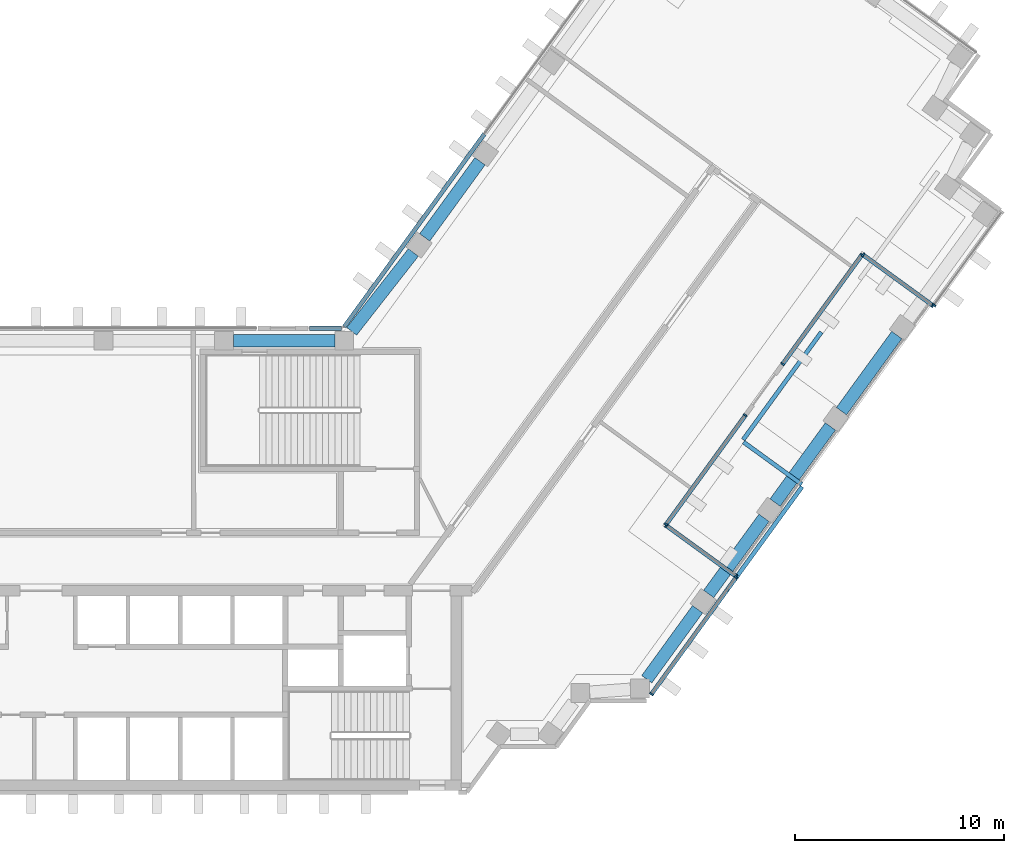
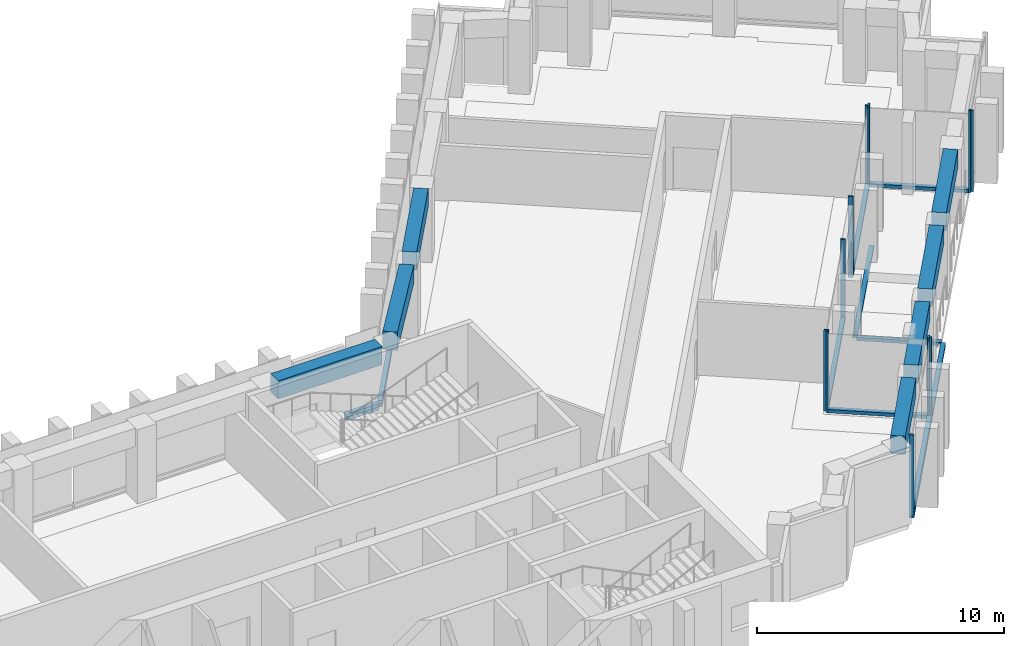
"""IFC4 building model written with IfcOpenShell, lengths in metres."""

from ifc_helpers import new_model, si_unit, direction, frame, origin, origin_2d, place, context, subcontext, project, spatial, rectangle, extrude, material, material_profile, profile_set, type_object, element, aggregate, save


model = new_model("IFC4")

# Units and contexts
model_context = context("Model", 3, precision=1e-05, world=origin(), true_north=direction((0.0, 1.0)))
body_context = subcontext(model_context, "Body", "Model", "MODEL_VIEW")
ifc_project = project(units=[si_unit("LENGTHUNIT", "METRE"), si_unit("AREAUNIT", "SQUARE_METRE"), si_unit("VOLUMEUNIT", "CUBIC_METRE"), si_unit("PLANEANGLEUNIT", "RADIAN"), si_unit("MASSUNIT", "GRAM", prefix="KILO")], contexts=[model_context])

# Site, building, storey
site_placement = place(None, origin())
site = spatial("IfcSite", under=ifc_project, at=site_placement, CompositionType="ELEMENT")
building_placement = place(site_placement, origin())
building = spatial("IfcBuilding", under=site, at=building_placement, Name="Quipu Civic Tower", CompositionType="ELEMENT")
storey_1_placement = place(building_placement, frame((0.0, 0.0, 97.0)))
storey_1 = spatial("IfcBuildingStorey", under=building, at=storey_1_placement, Name="L22", CompositionType="ELEMENT", Elevation=97.0)

# Curtain wall, members
ifc_material_1 = material(Name="Insulated glass unit", Category="glass")
curtain_wall_type = type_object("IfcCurtainWallType", Name="Office curtain wall CW1", PredefinedType="NOTDEFINED", material=ifc_material_1)
curtain_wall_1_placement = place(storey_1_placement, origin())
curtain_wall_1 = element("IfcCurtainWall", 1, at=curtain_wall_1_placement, inside=storey_1, type_object=curtain_wall_type, Name="Office curtain wall CW1 L22 run 1", PredefinedType="NOTDEFINED")
ifc_material_2 = material(Name="Anodised aluminium", Category="aluminium")
ifc_material_profile_1 = material_profile(ifc_material_2, rectangle(XDim=0.199951171875, YDim=0.080078125, at=origin_2d()), Name="RECT 200x80")
ifc_profile_set_1 = profile_set([ifc_material_profile_1], Name="Anodised aluminium")
member_type_1 = type_object("IfcMemberType", Name="Mullion CW1", PredefinedType="MULLION", material=ifc_profile_set_1)
member_1_placement = place(storey_1_placement, frame((29.079345703125, -6.3876953125, 0.080078125), z_axis=(0.0, 0.0, 1.0), x_axis=(-0.809015759359, 0.587786952143, 0.0)))
member_1 = element("IfcMember", 2, at=member_1_placement, type_object=member_type_1, Name="CW1 mullion 1", PredefinedType="MULLION", context=body_context, shape_type="SweptSolid", body=[
    extrude(rectangle(XDim=0.199951171875, YDim=0.080078125, at=origin_2d()), origin(), (0.0, 0.0, 1.0), 4.0),
])
member_2_placement = place(storey_1_placement, frame((33.1298828125, -0.812744140625, 0.080078125), z_axis=(0.0, 0.0, 1.0), x_axis=(-0.809015759359, 0.587786952143, 0.0)))
member_2 = element("IfcMember", 3, at=member_2_placement, type_object=member_type_1, Name="CW1 mullion 2", PredefinedType="MULLION", context=body_context, shape_type="SweptSolid", body=[
    extrude(rectangle(XDim=0.199951171875, YDim=0.080078125, at=origin_2d()), origin(), (0.0, 0.0, 1.0), 4.0),
])

curtain_wall_2_placement = place(storey_1_placement, origin())
curtain_wall_2 = element("IfcCurtainWall", 4, at=curtain_wall_2_placement, inside=storey_1, type_object=curtain_wall_type, Name="Office curtain wall CW1 L22 run 2", PredefinedType="NOTDEFINED")
member_3_placement = place(storey_1_placement, frame((33.12109375, -0.7568359375, 0.080078125), z_axis=(0.0, 0.0, 1.0), x_axis=(-0.587782313886, -0.809019129244, 0.0)))
member_3 = element("IfcMember", 5, at=member_3_placement, type_object=member_type_1, Name="CW1 mullion 1", PredefinedType="MULLION", context=body_context, shape_type="SweptSolid", body=[
    extrude(rectangle(XDim=0.199951171875, YDim=0.080078125, at=origin_2d()), origin(), (0.0, 0.0, 1.0), 4.0),
])
member_4_placement = place(storey_1_placement, frame((29.787841796875, 1.664794921875, 0.080078125), z_axis=(0.0, 0.0, 1.0), x_axis=(-0.587782313886, -0.809019129244, 0.0)))
member_4 = element("IfcMember", 6, at=member_4_placement, type_object=member_type_1, Name="CW1 mullion 2", PredefinedType="MULLION", context=body_context, shape_type="SweptSolid", body=[
    extrude(rectangle(XDim=0.199951171875, YDim=0.080078125, at=origin_2d()), origin(), (0.0, 0.0, 1.0), 4.0),
])

curtain_wall_3_placement = place(storey_1_placement, origin())
curtain_wall_3 = element("IfcCurtainWall", 7, at=curtain_wall_3_placement, inside=storey_1, type_object=curtain_wall_type, Name="Office curtain wall CW1 L22 run 3", PredefinedType="NOTDEFINED")
member_5_placement = place(storey_1_placement, frame((29.779052734375, 1.720703125, 0.080078125), z_axis=(0.0, 0.0, 1.0), x_axis=(-0.809018600878, 0.587783041125, 0.0)))
member_5 = element("IfcMember", 8, at=member_5_placement, type_object=member_type_1, Name="CW1 mullion 1", PredefinedType="MULLION", context=body_context, shape_type="SweptSolid", body=[
    extrude(rectangle(XDim=0.199951171875, YDim=0.080078125, at=origin_2d()), origin(), (0.0, 0.0, 1.0), 4.0),
])
member_6_placement = place(storey_1_placement, frame((33.5634765625, 6.929443359375, 0.080078125), z_axis=(0.0, 0.0, 1.0), x_axis=(-0.809018600878, 0.587783041125, 0.0)))
member_6 = element("IfcMember", 9, at=member_6_placement, type_object=member_type_1, Name="CW1 mullion 2", PredefinedType="MULLION", context=body_context, shape_type="SweptSolid", body=[
    extrude(rectangle(XDim=0.199951171875, YDim=0.080078125, at=origin_2d()), origin(), (0.0, 0.0, 1.0), 4.0),
])

curtain_wall_4_placement = place(storey_1_placement, origin())
curtain_wall_4 = element("IfcCurtainWall", 10, at=curtain_wall_4_placement, inside=storey_1, type_object=curtain_wall_type, Name="Office curtain wall CW1 L22 run 5", PredefinedType="NOTDEFINED")
member_7_placement = place(storey_1_placement, frame((35.35205078125, 9.391357421875, 0.080078125), z_axis=(0.0, 0.0, 1.0), x_axis=(-0.809021906018, 0.587778491936, 0.0)))
member_7 = element("IfcMember", 11, at=member_7_placement, type_object=member_type_1, Name="CW1 mullion 1", PredefinedType="MULLION", context=body_context, shape_type="SweptSolid", body=[
    extrude(rectangle(XDim=0.199951171875, YDim=0.080078125, at=origin_2d()), origin(), (0.0, 0.0, 1.0), 4.0),
])
member_8_placement = place(storey_1_placement, frame((39.136474609375, 14.600341796875, 0.080078125), z_axis=(0.0, 0.0, 1.0), x_axis=(-0.809021906018, 0.587778491936, 0.0)))
member_8 = element("IfcMember", 12, at=member_8_placement, type_object=member_type_1, Name="CW1 mullion 2", PredefinedType="MULLION", context=body_context, shape_type="SweptSolid", body=[
    extrude(rectangle(XDim=0.199951171875, YDim=0.080078125, at=origin_2d()), origin(), (0.0, 0.0, 1.0), 4.0),
])

curtain_wall_5_placement = place(storey_1_placement, origin())
curtain_wall_5 = element("IfcCurtainWall", 13, at=curtain_wall_5_placement, inside=storey_1, type_object=curtain_wall_type, Name="Office curtain wall CW1 L22 run 6", PredefinedType="NOTDEFINED")
member_9_placement = place(storey_1_placement, frame((39.1923828125, 14.609130859375, 0.080078125), z_axis=(0.0, 0.0, 1.0), x_axis=(0.587782313886, 0.809019129244, 0.0)))
member_9 = element("IfcMember", 14, at=member_9_placement, type_object=member_type_1, Name="CW1 mullion 1", PredefinedType="MULLION", context=body_context, shape_type="SweptSolid", body=[
    extrude(rectangle(XDim=0.199951171875, YDim=0.080078125, at=origin_2d()), origin(), (0.0, 0.0, 1.0), 4.0),
])
member_10_placement = place(storey_1_placement, frame((42.525634765625, 12.1875, 0.080078125), z_axis=(0.0, 0.0, 1.0), x_axis=(0.587782313886, 0.809019129244, 0.0)))
member_10 = element("IfcMember", 15, at=member_10_placement, type_object=member_type_1, Name="CW1 mullion 2", PredefinedType="MULLION", context=body_context, shape_type="SweptSolid", body=[
    extrude(rectangle(XDim=0.199951171875, YDim=0.080078125, at=origin_2d()), origin(), (0.0, 0.0, 1.0), 4.0),
])

# Curtain wall, member
curtain_wall_6_placement = place(storey_1_placement, origin())
curtain_wall_6 = element("IfcCurtainWall", 16, at=curtain_wall_6_placement, inside=storey_1, type_object=curtain_wall_type, Name="Office curtain wall CW1 L22 run 7", PredefinedType="NOTDEFINED")
member_11_placement = place(storey_1_placement, frame((42.581298828125, 12.1962890625, 0.080078125), z_axis=(0.0, 0.0, 1.0), x_axis=(-0.809010903145, 0.587793636059, 0.0)))
member_11 = element("IfcMember", 17, at=member_11_placement, type_object=member_type_1, Name="CW1 mullion 1", PredefinedType="MULLION", context=body_context, shape_type="SweptSolid", body=[
    extrude(rectangle(XDim=0.199951171875, YDim=0.080078125, at=origin_2d()), origin(), (0.0, 0.0, 1.0), 4.0),
])
aggregate(curtain_wall_6, [member_11])

# Beams
ifc_material_3 = material(Name="Concrete C50/60", Category="concrete")
ifc_material_profile_2 = material_profile(ifc_material_3, rectangle(XDim=0.60009765625, YDim=0.89990234375, at=origin_2d()), Name="RC600x900")
ifc_profile_set_2 = profile_set([ifc_material_profile_2], Name="Concrete C50/60")
beam_type = type_object("IfcBeamType", Name="Spandrel beam RC 600x900 C50/60", PredefinedType="SPANDREL", material=ifc_profile_set_2)
beam_1_placement = place(storey_1_placement, frame((28.85205078125, -5.679931640625, 3.199951171875), z_axis=(0.587750565781, 0.809042194464, 0.0), x_axis=(-0.809042194464, 0.587750565781, 0.0)))
element("IfcBeam", 18, at=beam_1_placement, inside=storey_1, type_object=beam_type, Name="Spandrel beam L22 J-Eo.4 to E-OUT-01", PredefinedType="SPANDREL", context=body_context, shape_type="SweptSolid", body=[
    extrude(rectangle(XDim=0.60009765625, YDim=0.89990234375, at=origin_2d()), origin(), (0.0, 0.0, 1.0), 4.13720703125),
])
beam_2_placement = place(storey_1_placement, frame((31.812744140625, -1.604736328125, 3.199951171875), z_axis=(0.587778073121, 0.809022210299, 0.0), x_axis=(-0.809022210299, 0.587778073121, 0.0)))
element("IfcBeam", 19, at=beam_2_placement, inside=storey_1, type_object=beam_type, Name="Spandrel beam L22 E-OUT-01 to E-OUT-02", PredefinedType="SPANDREL", context=body_context, shape_type="SweptSolid", body=[
    extrude(rectangle(XDim=0.60009765625, YDim=0.89990234375, at=origin_2d()), origin(), (0.0, 0.0, 1.0), 4.5),
])
beam_3_placement = place(storey_1_placement, frame((34.98681640625, 2.76416015625, 3.199951171875), z_axis=(0.587803872688, 0.809003465539, 0.0), x_axis=(-0.809003465539, 0.587803872688, 0.0)))
element("IfcBeam", 20, at=beam_3_placement, inside=storey_1, type_object=beam_type, Name="Spandrel beam L22 E-OUT-02 to E-OUT-03", PredefinedType="SPANDREL", context=body_context, shape_type="SweptSolid", body=[
    extrude(rectangle(XDim=0.60009765625, YDim=0.89990234375, at=origin_2d()), origin(), (0.0, 0.0, 1.0), 4.499755859375),
])
for number, where, z_axis, x_axis, name in (
    (21, (38.160888671875, 7.1328125, 3.199951171875), (0.587778073121, 0.809022210299, 0.0), (-0.809022210299, 0.587778073121, 0.0), "Spandrel beam L22 E-OUT-03 to E-OUT-04"),
    (22, (20.8828125, 19.079833984375, 3.199951171875), (-0.587716763865, -0.809066749701, 0.0), (0.809066749701, -0.587716763865, 0.0), "Spandrel beam L22 E-IN-02 to E-IN-01"),
):
    element("IfcBeam", number, at=place(storey_1_placement, frame(where, z_axis=z_axis, x_axis=x_axis)), inside=storey_1, type_object=beam_type, Name=name, PredefinedType="SPANDREL", context=body_context, shape_type="SweptSolid", body=[
        extrude(rectangle(XDim=0.60009765625, YDim=0.89990234375, at=origin_2d()), origin(), (0.0, 0.0, 1.0), 4.5),
    ])
beam_4_placement = place(storey_1_placement, frame((17.6962890625, 14.72021484375, 3.199951171875), z_axis=(-0.616123961998, -0.787649200756, 0.0), x_axis=(0.787649200756, -0.616123961998, 0.0)))
element("IfcBeam", 23, at=beam_4_placement, inside=storey_1, type_object=beam_type, Name="Spandrel beam L22 E-IN-01 to J-Ei.0", PredefinedType="SPANDREL", context=body_context, shape_type="SweptSolid", body=[
    extrude(rectangle(XDim=0.60009765625, YDim=0.89990234375, at=origin_2d()), origin(), (0.0, 0.0, 1.0), 4.78662109375),
])
beam_5_placement = place(storey_1_placement, frame((13.9453125, 10.5, 3.199951171875), z_axis=(-1.0, 0.0, 0.0), x_axis=(0.0, -1.0, 0.0)))
element("IfcBeam", 24, at=beam_5_placement, inside=storey_1, type_object=beam_type, Name="Spandrel beam L22 J-Ei.0 to FRONT-01", PredefinedType="SPANDREL", context=body_context, shape_type="SweptSolid", body=[
    extrude(rectangle(XDim=0.60009765625, YDim=0.89990234375, at=origin_2d()), origin(), (0.0, 0.0, 1.0), 4.858154296875),
])

# Storey
storey_2_placement = place(building_placement, frame((0.0, 0.0, 89.0)))
storey_2 = spatial("IfcBuildingStorey", under=building, at=storey_2_placement, Name="L20", CompositionType="ELEMENT", Elevation=89.0)

# Curtain wall, member
curtain_wall_7_placement = place(storey_2_placement, origin())
curtain_wall_7 = element("IfcCurtainWall", 25, at=curtain_wall_7_placement, inside=storey_2, type_object=curtain_wall_type, Name="Office curtain wall CW1 L19 run 11", PredefinedType="NOTDEFINED")
ifc_material_4 = material(Name="Anodised aluminium", Category="aluminium")
ifc_material_profile_3 = material_profile(ifc_material_4, rectangle(XDim=0.199951171875, YDim=0.159912109375, at=origin_2d()), Name="RECT 200x160")
ifc_profile_set_3 = profile_set([ifc_material_profile_3], Name="Anodised aluminium")
member_type_2 = type_object("IfcMemberType", Name="Transom CW1", PredefinedType="USERDEFINED", material=ifc_profile_set_3)
member_12_placement = place(storey_1_placement, frame((21.09326171875, 20.38916015625, 0.0), z_axis=(-0.587799878401, -0.809006367683, 0.0), x_axis=(0.809006367683, -0.587799878401, 0.0)))
member_12 = element("IfcMember", 26, at=member_12_placement, inside=storey_1, type_object=member_type_2, Name="CW1 transom 2.4", ObjectType="TRANSOM", PredefinedType="USERDEFINED", context=body_context, shape_type="SweptSolid", body=[
    extrude(rectangle(XDim=0.199951171875, YDim=0.159912109375, at=origin_2d()), origin(), (0.0, 0.0, 1.0), 11.402099609375),
])
aggregate(curtain_wall_7, [member_12])

curtain_wall_8_placement = place(storey_2_placement, origin())
curtain_wall_8 = element("IfcCurtainWall", 27, at=curtain_wall_8_placement, inside=storey_2, type_object=curtain_wall_type, Name="Office curtain wall CW1 L19 run 12", PredefinedType="NOTDEFINED")
member_13_placement = place(storey_1_placement, frame((14.26416015625, 11.10009765625, 0.0), z_axis=(-1.0, 0.0, 0.0), x_axis=(0.0, -1.0, 0.0)))
member_13 = element("IfcMember", 28, at=member_13_placement, inside=storey_1, type_object=member_type_2, Name="CW1 transom 1.4", ObjectType="TRANSOM", PredefinedType="USERDEFINED", context=body_context, shape_type="SweptSolid", body=[
    extrude(rectangle(XDim=0.199951171875, YDim=0.159912109375, at=origin_2d()), origin(), (0.0, 0.0, 1.0), 1.529052734375),
])
aggregate(curtain_wall_8, [member_13])

# Storey
storey_3_placement = place(building_placement, frame((0.0, 0.0, 93.0)))
storey_3 = spatial("IfcBuildingStorey", under=building, at=storey_3_placement, Name="L21", CompositionType="ELEMENT", Elevation=93.0)

# Curtain wall, members
curtain_wall_9_placement = place(storey_3_placement, origin())
curtain_wall_9 = element("IfcCurtainWall", 29, at=curtain_wall_9_placement, inside=storey_3, type_object=curtain_wall_type, Name="Office curtain wall CW1 L21 run 1", PredefinedType="NOTDEFINED")
member_14_placement = place(storey_1_placement, frame((29.10302734375, -6.35546875, 0.0), z_axis=(0.587771953411, 0.809026656411, 0.0), x_axis=(-0.809026656411, 0.587771953411, 0.0)))
member_14 = element("IfcMember", 30, at=member_14_placement, inside=storey_1, type_object=member_type_2, Name="CW1 transom 1.2", ObjectType="TRANSOM", PredefinedType="USERDEFINED", context=body_context, shape_type="SweptSolid", body=[
    extrude(rectangle(XDim=0.199951171875, YDim=0.159912109375, at=origin_2d()), origin(), (0.0, 0.0, 1.0), 6.065673828125),
])
member_15_placement = place(storey_1_placement, frame((32.715087890625, -1.383544921875, 0.0), z_axis=(0.587771953411, 0.809026656411, 0.0), x_axis=(-0.809026656411, 0.587771953411, 0.0)))
member_15 = element("IfcMember", 31, at=member_15_placement, inside=storey_1, type_object=member_type_2, Name="CW1 transom 2.2", ObjectType="TRANSOM", PredefinedType="USERDEFINED", context=body_context, shape_type="SweptSolid", body=[
    extrude(rectangle(XDim=0.199951171875, YDim=0.159912109375, at=origin_2d()), origin(), (0.0, 0.0, 1.0), 6.065673828125),
])
aggregate(curtain_wall_9, [member_14, member_15])

# Curtain wall, member
curtain_wall_10_placement = place(storey_3_placement, origin())
curtain_wall_10 = element("IfcCurtainWall", 32, at=curtain_wall_10_placement, inside=storey_3, type_object=curtain_wall_type, Name="Office curtain wall CW1 L21 run 2", PredefinedType="NOTDEFINED")
member_16_placement = place(storey_1_placement, frame((36.2626953125, 3.63525390625, 0.0), z_axis=(-0.809012211288, 0.58779183559, 0.0), x_axis=(-0.58779183559, -0.809012211288, 0.0)))
member_16 = element("IfcMember", 33, at=member_16_placement, inside=storey_1, type_object=member_type_2, Name="CW1 transom 1.2", ObjectType="TRANSOM", PredefinedType="USERDEFINED", context=body_context, shape_type="SweptSolid", body=[
    extrude(rectangle(XDim=0.199951171875, YDim=0.159912109375, at=origin_2d()), origin(), (0.0, 0.0, 1.0), 3.43994140625),
])
aggregate(curtain_wall_10, [member_16])

curtain_wall_11_placement = place(storey_3_placement, origin())
curtain_wall_11 = element("IfcCurtainWall", 34, at=curtain_wall_11_placement, inside=storey_3, type_object=curtain_wall_type, Name="Office curtain wall CW1 L21 run 3", PredefinedType="NOTDEFINED")
member_17_placement = place(storey_1_placement, frame((33.4619140625, 5.76904296875, 0.0), z_axis=(0.587797201853, 0.809008312376, 0.0), x_axis=(-0.809008312376, 0.587797201853, 0.0)))
member_17 = element("IfcMember", 35, at=member_17_placement, inside=storey_1, type_object=member_type_2, Name="CW1 transom 1.2", ObjectType="TRANSOM", PredefinedType="USERDEFINED", context=body_context, shape_type="SweptSolid", body=[
    extrude(rectangle(XDim=0.199951171875, YDim=0.159912109375, at=origin_2d()), origin(), (0.0, 0.0, 1.0), 6.358154296875),
])
aggregate(curtain_wall_11, [member_17])

# Member
member_18_placement = place(storey_1_placement, frame((29.10302734375, -6.35546875, 0.159912109375), z_axis=(0.587783730695, 0.809018099878, 0.0), x_axis=(-0.809018099878, 0.587783730695, 0.0)))
member_18 = element("IfcMember", 36, at=member_18_placement, type_object=member_type_2, Name="CW1 transom 1.1", ObjectType="TRANSOM", PredefinedType="USERDEFINED", context=body_context, shape_type="SweptSolid", body=[
    extrude(rectangle(XDim=0.199951171875, YDim=0.159912109375, at=origin_2d()), origin(), (0.0, 0.0, 1.0), 6.81103515625),
])

aggregate(curtain_wall_1, [member_1, member_2, member_18])

member_19_placement = place(storey_1_placement, frame((33.088623046875, -0.7333984375, 0.159912109375), z_axis=(-0.808994717653, 0.587815912348, 0.0), x_axis=(-0.587815912348, -0.808994717653, 0.0)))
member_19 = element("IfcMember", 37, at=member_19_placement, type_object=member_type_2, Name="CW1 transom 1.1", ObjectType="TRANSOM", PredefinedType="USERDEFINED", context=body_context, shape_type="SweptSolid", body=[
    extrude(rectangle(XDim=0.199951171875, YDim=0.159912109375, at=origin_2d()), origin(), (0.0, 0.0, 1.0), 4.0400390625),
])

aggregate(curtain_wall_2, [member_3, member_4, member_19])

member_20_placement = place(storey_1_placement, frame((29.802490234375, 1.7529296875, 0.159912109375), z_axis=(0.587778942742, 0.809021578494, 0.0), x_axis=(-0.809021578494, 0.587778942742, 0.0)))
member_20 = element("IfcMember", 38, at=member_20_placement, type_object=member_type_2, Name="CW1 transom 1.1", ObjectType="TRANSOM", PredefinedType="USERDEFINED", context=body_context, shape_type="SweptSolid", body=[
    extrude(rectangle(XDim=0.199951171875, YDim=0.159912109375, at=origin_2d()), origin(), (0.0, 0.0, 1.0), 6.3583984375),
])

aggregate(curtain_wall_3, [member_5, member_6, member_20])

member_21_placement = place(storey_1_placement, frame((35.37548828125, 9.423583984375, 0.159912109375), z_axis=(0.587785815007, 0.809016585539, 0.0), x_axis=(-0.809016585539, 0.587785815007, 0.0)))
member_21 = element("IfcMember", 39, at=member_21_placement, type_object=member_type_2, Name="CW1 transom 1.1", ObjectType="TRANSOM", PredefinedType="USERDEFINED", context=body_context, shape_type="SweptSolid", body=[
    extrude(rectangle(XDim=0.199951171875, YDim=0.159912109375, at=origin_2d()), origin(), (0.0, 0.0, 1.0), 6.358642578125),
])

aggregate(curtain_wall_4, [member_7, member_8, member_21])

member_22_placement = place(storey_1_placement, frame((39.224609375, 14.585693359375, 0.159912109375), z_axis=(0.809015596824, -0.587787175852, 0.0), x_axis=(0.587787175852, 0.809015596824, 0.0)))
member_22 = element("IfcMember", 40, at=member_22_placement, type_object=member_type_2, Name="CW1 transom 1.1", ObjectType="TRANSOM", PredefinedType="USERDEFINED", context=body_context, shape_type="SweptSolid", body=[
    extrude(rectangle(XDim=0.199951171875, YDim=0.159912109375, at=origin_2d()), origin(), (0.0, 0.0, 1.0), 4.040283203125),
])

aggregate(curtain_wall_5, [member_9, member_10, member_22])

# Storey
storey_4_placement = place(building_placement, frame((0.0, 0.0, 101.0)))
storey_4 = spatial("IfcBuildingStorey", under=building, at=storey_4_placement, Name="L23", CompositionType="ELEMENT", Elevation=101.0)

# Curtain wall, member
curtain_wall_12_placement = place(storey_4_placement, origin())
curtain_wall_12 = element("IfcCurtainWall", 41, at=curtain_wall_12_placement, inside=storey_4, type_object=curtain_wall_type, Name="Office curtain wall CW1 L22 run 36", PredefinedType="NOTDEFINED")
member_23_placement = place(storey_1_placement, frame((21.09326171875, 20.38916015625, 0.159912109375), z_axis=(-0.587799878401, -0.809006367683, 0.0), x_axis=(0.809006367683, -0.587799878401, 0.0)))
member_23 = element("IfcMember", 42, at=member_23_placement, inside=storey_1, type_object=member_type_2, Name="CW1 transom 2.1", ObjectType="TRANSOM", PredefinedType="USERDEFINED", context=body_context, shape_type="SweptSolid", body=[
    extrude(rectangle(XDim=0.199951171875, YDim=0.159912109375, at=origin_2d()), origin(), (0.0, 0.0, 1.0), 11.402099609375),
])
aggregate(curtain_wall_12, [member_23])

curtain_wall_13_placement = place(storey_4_placement, origin())
curtain_wall_13 = element("IfcCurtainWall", 43, at=curtain_wall_13_placement, inside=storey_4, type_object=curtain_wall_type, Name="Office curtain wall CW1 L22 run 37", PredefinedType="NOTDEFINED")
member_24_placement = place(storey_1_placement, frame((14.26416015625, 11.10009765625, 0.159912109375), z_axis=(-1.0, 0.0, 0.0), x_axis=(0.0, -1.0, 0.0)))
member_24 = element("IfcMember", 44, at=member_24_placement, inside=storey_1, type_object=member_type_2, Name="CW1 transom 1.1", ObjectType="TRANSOM", PredefinedType="USERDEFINED", context=body_context, shape_type="SweptSolid", body=[
    extrude(rectangle(XDim=0.199951171875, YDim=0.159912109375, at=origin_2d()), origin(), (0.0, 0.0, 1.0), 1.529052734375),
])
aggregate(curtain_wall_13, [member_24])

save(model, "model.ifc")
